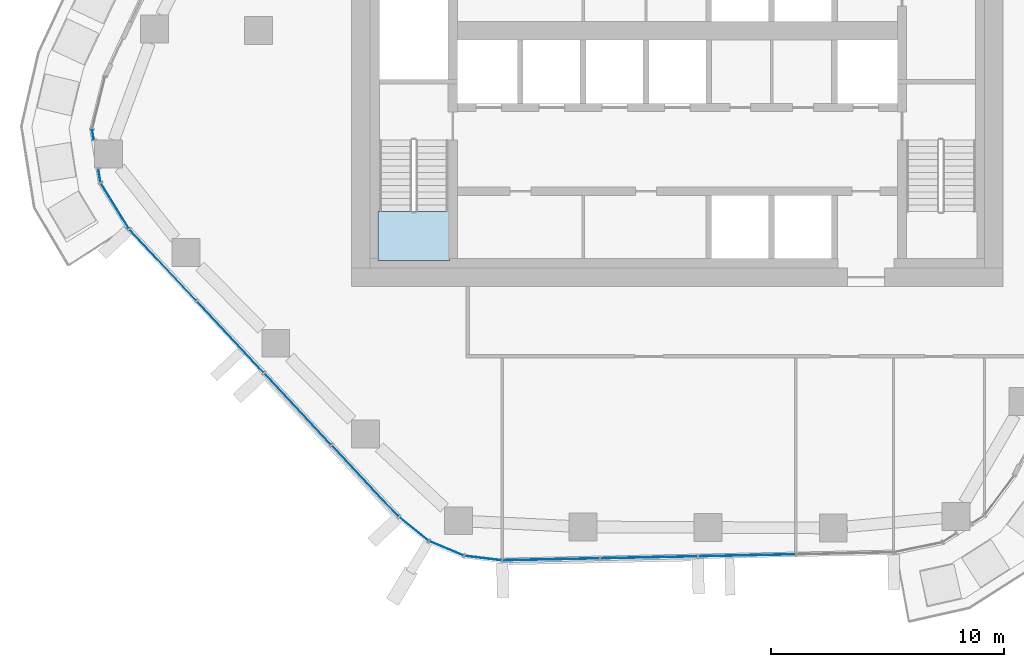
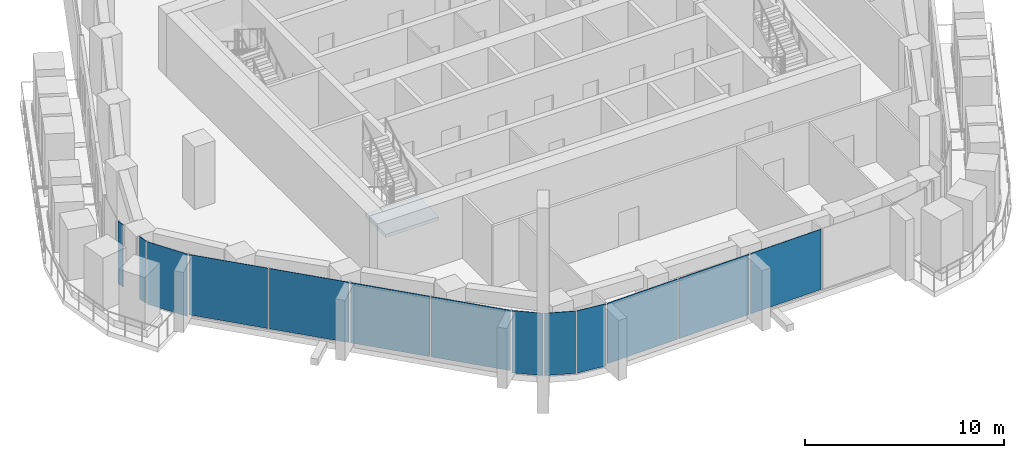
# One storey, part 8 of 18: 13 plates, 1 slab, 6 elements without a shape of their own.
"""IFC4 building model written with IfcOpenShell, lengths in metres."""

from ifc_helpers import new_model, si_unit, direction, frame, origin, origin_2d, place, context, subcontext, project, spatial, polyline, rectangle, outline, extrude, material, layer, layer_set, type_object, element, aggregate, save


model = new_model("IFC4")

# Units and contexts
model_context = context("Model", 3, precision=1e-05, world=origin(), true_north=direction((0.0, 1.0)))
body_context = subcontext(model_context, "Body", "Model", "MODEL_VIEW")
ifc_project = project(units=[si_unit("LENGTHUNIT", "METRE"), si_unit("AREAUNIT", "SQUARE_METRE"), si_unit("VOLUMEUNIT", "CUBIC_METRE"), si_unit("PLANEANGLEUNIT", "RADIAN"), si_unit("MASSUNIT", "GRAM", prefix="KILO")], contexts=[model_context])

# Site, building, storey
site_placement = place(None, origin())
site = spatial("IfcSite", under=ifc_project, at=site_placement, CompositionType="ELEMENT")
building_placement = place(site_placement, origin())
building = spatial("IfcBuilding", under=site, at=building_placement, Name="Dongbaek Canopy Tower", CompositionType="ELEMENT")
storey_placement = place(building_placement, frame((0.0, 0.0, 158.60009765625)))
storey = spatial("IfcBuildingStorey", under=building, at=storey_placement, Name="L34", CompositionType="ELEMENT", Elevation=158.60009765625)

# Curtain wall, plate
ifc_material_1 = material(Name="Aluminium 6063-T6 pale anodised", Category="aluminium")
ifc_layer_1 = layer(ifc_material_1, 0.199951171875)
ifc_layer_set_1 = layer_set([ifc_layer_1], Name="CW-1 unitised tower curtain wall")
curtain_wall_type = type_object("IfcCurtainWallType", Name="CW-1 unitised tower curtain wall", PredefinedType="NOTDEFINED", material=ifc_layer_set_1)
curtain_wall_1_placement = place(storey_placement, origin())
curtain_wall_1 = element("IfcCurtainWall", 1, at=curtain_wall_1_placement, inside=storey, type_object=curtain_wall_type, Name="CW-1 curtain wall K3.1a", PredefinedType="NOTDEFINED")
ifc_material_2 = material(Name="Clear laminated glass", Category="glass")
ifc_layer_2 = layer(ifc_material_2, 0.028076171875)
ifc_layer_set_2 = layer_set([ifc_layer_2], Name="CW-1 glazed panel 28")
plate_type = type_object("IfcPlateType", Name="CW-1 glazed panel 28", PredefinedType="CURTAIN_PANEL", material=ifc_layer_set_2)
plate_1_placement = place(storey_placement, frame((-25.111083984375, -4.4677734375, 0.0), z_axis=(0.0, 0.0, 1.0), x_axis=(0.155710029436, -0.987802807616, 0.0)))
plate_1 = element("IfcPlate", 2, at=plate_1_placement, type_object=plate_type, Name="CW-1 panel K3.1a.2.1", PredefinedType="CURTAIN_PANEL", context=body_context, shape_type="SweptSolid", body=[
    extrude(rectangle(XDim=0.386474609375, YDim=0.028076171875, at=origin_2d()), origin(), (0.0, 0.0, 1.0), 3.820068359375),
])
aggregate(curtain_wall_1, [plate_1])

# Curtain wall, plates
curtain_wall_2_placement = place(storey_placement, origin())
curtain_wall_2 = element("IfcCurtainWall", 3, at=curtain_wall_2_placement, inside=storey, type_object=curtain_wall_type, Name="CW-1 curtain wall K3.1b", PredefinedType="NOTDEFINED")
plate_2_placement = place(storey_placement, frame((-24.833984375, -6.225830078125, 0.0), z_axis=(0.0, 0.0, 1.0), x_axis=(0.155710029436, -0.987802807616, 0.0)))
plate_2 = element("IfcPlate", 4, at=plate_2_placement, type_object=plate_type, Name="CW-1 panel K3.1b.1.1", PredefinedType="CURTAIN_PANEL", context=body_context, shape_type="SweptSolid", body=[
    extrude(rectangle(XDim=0.547119140625, YDim=0.028076171875, at=origin_2d()), origin(), (0.0, 0.0, 1.0), 3.820068359375),
])
plate_3_placement = place(storey_placement, frame((-24.1689453125, -7.532958984375, 0.0), z_axis=(0.0, 0.0, 1.0), x_axis=(0.526184480148, -0.850370444483, 0.0)))
plate_3 = element("IfcPlate", 5, at=plate_3_placement, type_object=plate_type, Name="CW-1 panel K3.1b.2.1", PredefinedType="CURTAIN_PANEL", context=body_context, shape_type="SweptSolid", body=[
    extrude(rectangle(XDim=2.2568359375, YDim=0.028076171875, at=origin_2d()), origin(), (0.0, 0.0, 1.0), 3.820068359375),
])
aggregate(curtain_wall_2, [plate_2, plate_3])

curtain_wall_3_placement = place(storey_placement, origin())
curtain_wall_3 = element("IfcCurtainWall", 6, at=curtain_wall_3_placement, inside=storey, type_object=curtain_wall_type, Name="CW-1 curtain wall F3.1", PredefinedType="NOTDEFINED")
plate_4_placement = place(storey_placement, frame((-22.1064453125, -10.07177734375, 0.1201171875), z_axis=(0.0, 0.0, 1.0), x_axis=(0.683822010811, -0.729648859062, 0.0)))
plate_4 = element("IfcPlate", 7, at=plate_4_placement, type_object=plate_type, Name="CW-1 panel F3.1.1.1", PredefinedType="CURTAIN_PANEL", context=body_context, shape_type="SweptSolid", body=[
    extrude(rectangle(XDim=4.147216796875, YDim=0.028076171875, at=origin_2d()), origin(), (0.0, 0.0, 1.0), 3.699951171875),
])
plate_5_placement = place(storey_placement, frame((-19.209716796875, -13.162841796875, 0.1201171875), z_axis=(0.0, 0.0, 1.0), x_axis=(0.683822010811, -0.729648859062, 0.0)))
plate_5 = element("IfcPlate", 8, at=plate_5_placement, type_object=plate_type, Name="CW-1 panel F3.1.2.1", PredefinedType="CURTAIN_PANEL", context=body_context, shape_type="SweptSolid", body=[
    extrude(rectangle(XDim=4.1572265625, YDim=0.028076171875, at=origin_2d()), origin(), (0.0, 0.0, 1.0), 3.699951171875),
])
plate_6_placement = place(storey_placement, frame((-16.309326171875, -16.25732421875, 0.1201171875), z_axis=(0.0, 0.0, 1.0), x_axis=(0.683822010811, -0.729648859062, 0.0)))
plate_6 = element("IfcPlate", 9, at=plate_6_placement, type_object=plate_type, Name="CW-1 panel F3.1.3.1", PredefinedType="CURTAIN_PANEL", context=body_context, shape_type="SweptSolid", body=[
    extrude(rectangle(XDim=4.1572265625, YDim=0.028076171875, at=origin_2d()), origin(), (0.0, 0.0, 1.0), 3.699951171875),
])
plate_7_placement = place(storey_placement, frame((-13.41162109375, -19.349365234375, 0.1201171875), z_axis=(0.0, 0.0, 1.0), x_axis=(0.683822010811, -0.729648859062, 0.0)))
plate_7 = element("IfcPlate", 10, at=plate_7_placement, type_object=plate_type, Name="CW-1 panel F3.1.4.1", PredefinedType="CURTAIN_PANEL", context=body_context, shape_type="SweptSolid", body=[
    extrude(rectangle(XDim=4.150146484375, YDim=0.028076171875, at=origin_2d()), origin(), (0.0, 0.0, 1.0), 3.699951171875),
])
aggregate(curtain_wall_3, [plate_4, plate_5, plate_6, plate_7])

curtain_wall_4_placement = place(storey_placement, origin())
curtain_wall_4 = element("IfcCurtainWall", 11, at=curtain_wall_4_placement, inside=storey, type_object=curtain_wall_type, Name="CW-1 curtain wall K4.1", PredefinedType="NOTDEFINED")
plate_8_placement = place(storey_placement, frame((-11.3212890625, -21.41162109375, 0.0), z_axis=(0.0, 0.0, 1.0), x_axis=(0.778773820364, -0.627304819618, 0.0)))
plate_8 = element("IfcPlate", 12, at=plate_8_placement, type_object=plate_type, Name="CW-1 panel K4.1.1.1", PredefinedType="CURTAIN_PANEL", context=body_context, shape_type="SweptSolid", body=[
    extrude(rectangle(XDim=1.566162109375, YDim=0.028076171875, at=origin_2d()), origin(), (0.0, 0.0, 1.0), 3.820068359375),
])
plate_9_placement = place(storey_placement, frame((-9.921630859375, -22.248291015625, 0.0), z_axis=(0.0, 0.0, 1.0), x_axis=(0.921587391877, -0.388170940609, 0.0)))
plate_9 = element("IfcPlate", 13, at=plate_9_placement, type_object=plate_type, Name="CW-1 panel K4.1.2.1", PredefinedType="CURTAIN_PANEL", context=body_context, shape_type="SweptSolid", body=[
    extrude(rectangle(XDim=1.55908203125, YDim=0.028076171875, at=origin_2d()), origin(), (0.0, 0.0, 1.0), 3.820068359375),
])
plate_10_placement = place(storey_placement, frame((-8.34521484375, -22.665283203125, 0.0), z_axis=(0.0, 0.0, 1.0), x_axis=(0.992903542336, -0.11892247734, 0.0)))
plate_10 = element("IfcPlate", 14, at=plate_10_placement, type_object=plate_type, Name="CW-1 panel K4.1.3.1", PredefinedType="CURTAIN_PANEL", context=body_context, shape_type="SweptSolid", body=[
    extrude(rectangle(XDim=1.566162109375, YDim=0.028076171875, at=origin_2d()), origin(), (0.0, 0.0, 1.0), 3.820068359375),
])
aggregate(curtain_wall_4, [plate_8, plate_9, plate_10])

curtain_wall_5_placement = place(storey_placement, origin())
curtain_wall_5 = element("IfcCurtainWall", 15, at=curtain_wall_5_placement, inside=storey, type_object=curtain_wall_type, Name="CW-1 curtain wall F4.1", PredefinedType="NOTDEFINED")
plate_11_placement = place(storey_placement, frame((-5.42626953125, -22.72021484375, 0.1201171875), z_axis=(0.0, 0.0, 1.0), x_axis=(0.999789551029, 0.020514717954, 0.0)))
plate_11 = element("IfcPlate", 16, at=plate_11_placement, type_object=plate_type, Name="CW-1 panel F4.1.1.1", PredefinedType="CURTAIN_PANEL", context=body_context, shape_type="SweptSolid", body=[
    extrude(rectangle(XDim=4.116455078125, YDim=0.028076171875, at=origin_2d()), origin(), (0.0, 0.0, 1.0), 3.699951171875),
])
plate_12_placement = place(storey_placement, frame((-1.22314453125, -22.634033203125, 0.1201171875), z_axis=(0.0, 0.0, 1.0), x_axis=(0.999789551029, 0.020514717954, 0.0)))
plate_12 = element("IfcPlate", 17, at=plate_12_placement, type_object=plate_type, Name="CW-1 panel F4.1.2.1", PredefinedType="CURTAIN_PANEL", context=body_context, shape_type="SweptSolid", body=[
    extrude(rectangle(XDim=4.12353515625, YDim=0.028076171875, at=origin_2d()), origin(), (0.0, 0.0, 1.0), 3.699951171875),
])
plate_13_placement = place(storey_placement, frame((2.9833984375, -22.547607421875, 0.1201171875), z_axis=(0.0, 0.0, 1.0), x_axis=(0.999789551029, 0.020514717954, 0.0)))
plate_13 = element("IfcPlate", 18, at=plate_13_placement, type_object=plate_type, Name="CW-1 panel F4.1.3.1", PredefinedType="CURTAIN_PANEL", context=body_context, shape_type="SweptSolid", body=[
    extrude(rectangle(XDim=4.12353515625, YDim=0.028076171875, at=origin_2d()), origin(), (0.0, 0.0, 1.0), 3.699951171875),
])
aggregate(curtain_wall_5, [plate_11, plate_12, plate_13])

# Stair, slab
ifc_material_3 = material(Name="Concrete C40/50", Category="concrete")
stair_type = type_object("IfcStairType", Name="Core exit stair", PredefinedType="HALF_TURN_STAIR", material=ifc_material_3)
stair_placement = place(storey_placement, origin())
stair = element("IfcStair", 19, at=stair_placement, inside=storey, type_object=stair_type, Name="L34 exit stair D", PredefinedType="HALF_TURN_STAIR")
ifc_material_4 = material(Name="Concrete C40/50", Category="concrete")
ifc_layer_3 = layer(ifc_material_4, 0.199951171875)
ifc_layer_set_3 = layer_set([ifc_layer_3], Name="Core stair landing 200")
slab_type = type_object("IfcSlabType", Name="Core stair landing 200", PredefinedType="LANDING", material=ifc_layer_set_3)
slab_placement = place(storey_placement, frame((0.0, 0.0, 1.89990234375)))
slab = element("IfcSlab", 20, at=slab_placement, type_object=slab_type, Name="ST-D landing 1", PredefinedType="LANDING", context=body_context, shape_type="SweptSolid", body=[
    extrude(outline(polyline([(-12.875, -7.780029296875), (-12.875, -9.875), (-9.77490234375, -9.875), (-9.77490234375, -7.780029296875), (-12.875, -7.780029296875)])), origin(), (0.0, 0.0, 1.0), 0.199951171875),
])
aggregate(stair, [slab])

save(model, "model.ifc")
